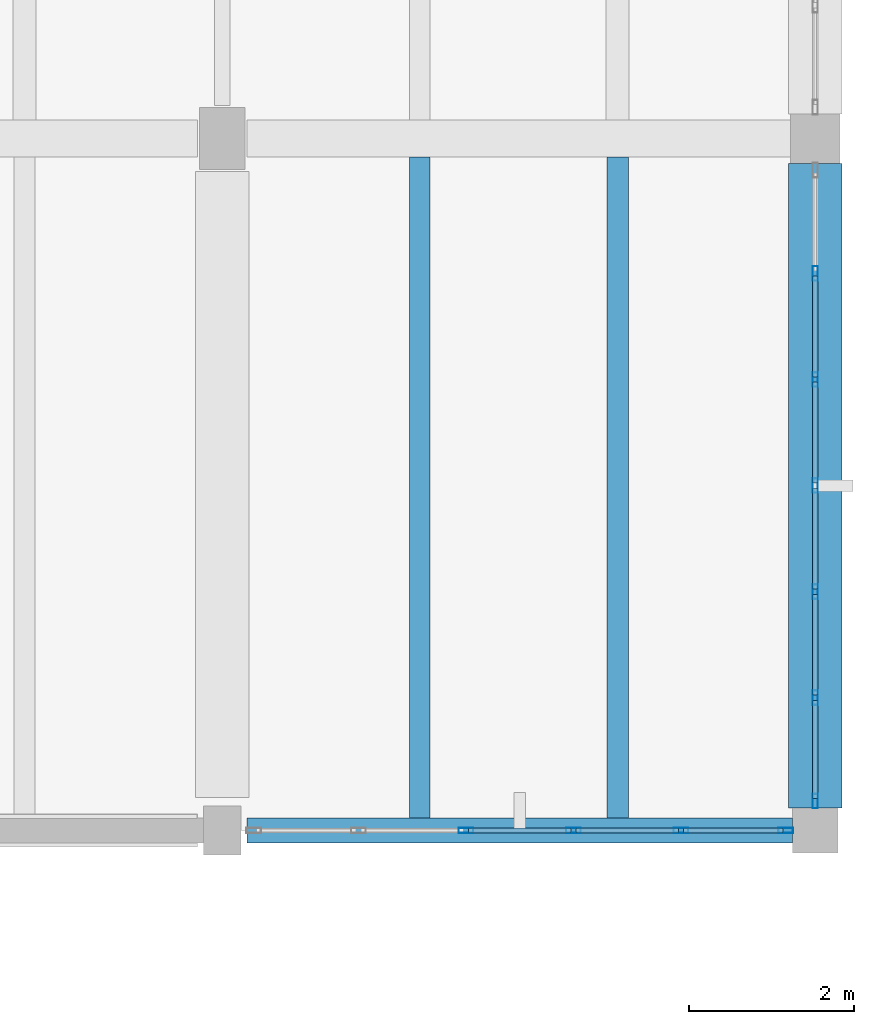
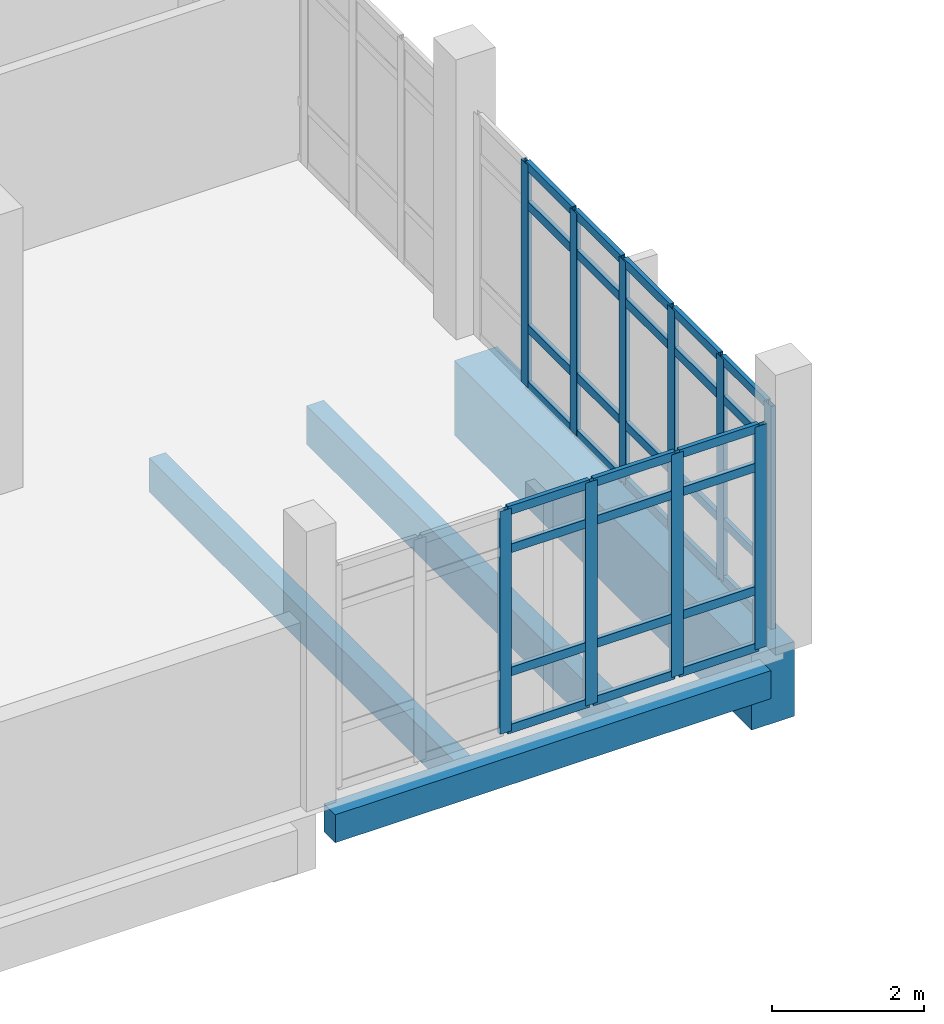
# One storey, part 52 of 87: 42 members, 4 beams, 2 elements without a shape of their own.
"""IFC4 building model written with IfcOpenShell, lengths in metres."""

from ifc_helpers import new_model, si_unit, direction, frame, origin, origin_2d, place, context, subcontext, project, spatial, rectangle, hollow_rectangle, extrude, material, material_profile, profile_set, type_object, element, aggregate, save


model = new_model("IFC4")

# Units and contexts
model_context = context("Model", 3, precision=1e-05, world=origin(), true_north=direction((0.0, 1.0)))
body_context = subcontext(model_context, "Body", "Model", "MODEL_VIEW")
ifc_project = project(units=[si_unit("LENGTHUNIT", "METRE"), si_unit("AREAUNIT", "SQUARE_METRE"), si_unit("VOLUMEUNIT", "CUBIC_METRE"), si_unit("PLANEANGLEUNIT", "RADIAN"), si_unit("MASSUNIT", "GRAM", prefix="KILO")], contexts=[model_context])

# Site, building, storey
site_placement = place(None, origin())
site = spatial("IfcSite", under=ifc_project, at=site_placement, CompositionType="ELEMENT")
building_placement = place(site_placement, origin())
building = spatial("IfcBuilding", under=site, at=building_placement, Name="Kalluvel Institute of Natural Sciences", CompositionType="ELEMENT")
storey_placement = place(building_placement, frame((0.0, 0.0, 18.89990234375)))
storey = spatial("IfcBuildingStorey", under=building, at=storey_placement, Name="L04", CompositionType="ELEMENT", Elevation=18.89990234375)

# Beam
ifc_material_1 = material(Name="Concrete M50", Category="concrete")
ifc_material_profile_1 = material_profile(ifc_material_1, rectangle(XDim=0.64990234375, YDim=1.199951171875, at=origin_2d()), Name="RCB 650x1200")
ifc_profile_set_1 = profile_set([ifc_material_profile_1], Name="Concrete M50")
beam_type_1 = type_object("IfcBeamType", Name="BM-RC650x1200", PredefinedType="BEAM", material=ifc_profile_set_1)
beam_1_placement = place(storey_placement, frame((114.800048828125, 103.074951171875, -0.919921875), z_axis=(0.0, 1.0, 0.0), x_axis=(-1.0, 0.0, 0.0)))
element("IfcBeam", 1, at=beam_1_placement, inside=storey, type_object=beam_type_1, Name="L04 girder GIR-L04-NS-X1148-Y1028", PredefinedType="BEAM", context=body_context, shape_type="SweptSolid", body=[
    extrude(rectangle(XDim=0.64990234375, YDim=1.199951171875, at=origin_2d()), origin(), (0.0, 0.0, 1.0), 7.824951171875),
])

# Curtain wall, members
ifc_material_2 = material(Name="Aluminium AW-6063 T6", Category="aluminium")
curtain_wall_type = type_object("IfcCurtainWallType", Name="CW-WET-45", PredefinedType="USERDEFINED", material=ifc_material_2)
curtain_wall_1_placement = place(storey_placement, origin())
curtain_wall_1 = element("IfcCurtainWall", 2, at=curtain_wall_1_placement, inside=storey, type_object=curtain_wall_type, Name="L04 Gothic lancet curtain wall CWA-L04-X1080-Y1028", ObjectType="UNITISED LANCET FACADE", PredefinedType="USERDEFINED")
ifc_material_profile_2 = material_profile(ifc_material_2, hollow_rectangle(XDim=0.06494140625, YDim=0.179931640625, WallThickness=0.00439453125, at=origin_2d()), Name="CWM 65x180")
ifc_profile_set_2 = profile_set([ifc_material_profile_2], Name="Aluminium AW-6063 T6")
member_type_1 = type_object("IfcMemberType", Name="CWM-65x180", PredefinedType="MULLION", material=ifc_profile_set_2)
member_1_placement = place(storey_placement, frame((110.56005859375, 102.800048828125, 0.0), z_axis=(0.0, 0.0, 1.0), x_axis=(0.0, 1.0, 0.0)))
member_1 = element("IfcMember", 3, at=member_1_placement, type_object=member_type_1, Name="CW-01 mullion 3", PredefinedType="MULLION", context=body_context, shape_type="SweptSolid", body=[
    extrude(hollow_rectangle(XDim=0.06494140625, YDim=0.179931640625, WallThickness=0.00439453125, at=origin_2d()), origin(), (0.0, 0.0, 1.0), 3.580078125),
])
member_2_placement = place(storey_placement, frame((111.864990234375, 102.800048828125, 0.0), z_axis=(0.0, 0.0, 1.0), x_axis=(0.0, 1.0, 0.0)))
member_2 = element("IfcMember", 4, at=member_2_placement, type_object=member_type_1, Name="CW-01 mullion 4", PredefinedType="MULLION", context=body_context, shape_type="SweptSolid", body=[
    extrude(hollow_rectangle(XDim=0.06494140625, YDim=0.179931640625, WallThickness=0.00439453125, at=origin_2d()), origin(), (0.0, 0.0, 1.0), 3.580078125),
])
member_3_placement = place(storey_placement, frame((113.169921875, 102.800048828125, 0.0), z_axis=(0.0, 0.0, 1.0), x_axis=(0.0, 1.0, 0.0)))
member_3 = element("IfcMember", 5, at=member_3_placement, type_object=member_type_1, Name="CW-01 mullion 5", PredefinedType="MULLION", context=body_context, shape_type="SweptSolid", body=[
    extrude(hollow_rectangle(XDim=0.06494140625, YDim=0.179931640625, WallThickness=0.00439453125, at=origin_2d()), origin(), (0.0, 0.0, 1.0), 3.580078125),
])
member_4_placement = place(storey_placement, frame((114.4423828125, 102.800048828125, 0.0), z_axis=(0.0, 0.0, 1.0), x_axis=(0.0, 1.0, 0.0)))
member_4 = element("IfcMember", 6, at=member_4_placement, type_object=member_type_1, Name="CW-01 mullion 6", PredefinedType="MULLION", context=body_context, shape_type="SweptSolid", body=[
    extrude(hollow_rectangle(XDim=0.06494140625, YDim=0.179931640625, WallThickness=0.00439453125, at=origin_2d()), origin(), (0.0, 0.0, 1.0), 3.580078125),
])

curtain_wall_2_placement = place(storey_placement, origin())
curtain_wall_2 = element("IfcCurtainWall", 7, at=curtain_wall_2_placement, inside=storey, type_object=curtain_wall_type, Name="L04 Gothic lancet curtain wall CWA-L04-X1148-Y1031", ObjectType="UNITISED LANCET FACADE", PredefinedType="USERDEFINED")
member_5_placement = place(storey_placement, frame((114.800048828125, 103.157470703125, 0.0), z_axis=(0.0, 0.0, 1.0), x_axis=(-1.0, 0.0, 0.0)))
member_5 = element("IfcMember", 8, at=member_5_placement, type_object=member_type_1, Name="CW-01 mullion 1", PredefinedType="MULLION", context=body_context, shape_type="SweptSolid", body=[
    extrude(hollow_rectangle(XDim=0.06494140625, YDim=0.179931640625, WallThickness=0.00439453125, at=origin_2d()), origin(), (0.0, 0.0, 1.0), 3.580078125),
])
member_6_placement = place(storey_placement, frame((114.800048828125, 104.41259765625, 0.0), z_axis=(0.0, 0.0, 1.0), x_axis=(-1.0, 0.0, 0.0)))
member_6 = element("IfcMember", 9, at=member_6_placement, type_object=member_type_1, Name="CW-01 mullion 2", PredefinedType="MULLION", context=body_context, shape_type="SweptSolid", body=[
    extrude(hollow_rectangle(XDim=0.06494140625, YDim=0.179931640625, WallThickness=0.00439453125, at=origin_2d()), origin(), (0.0, 0.0, 1.0), 3.580078125),
])
member_7_placement = place(storey_placement, frame((114.800048828125, 105.699951171875, 0.0), z_axis=(0.0, 0.0, 1.0), x_axis=(-1.0, 0.0, 0.0)))
member_7 = element("IfcMember", 10, at=member_7_placement, type_object=member_type_1, Name="CW-01 mullion 3", PredefinedType="MULLION", context=body_context, shape_type="SweptSolid", body=[
    extrude(hollow_rectangle(XDim=0.06494140625, YDim=0.179931640625, WallThickness=0.00439453125, at=origin_2d()), origin(), (0.0, 0.0, 1.0), 3.580078125),
])
member_8_placement = place(storey_placement, frame((114.800048828125, 106.987548828125, 0.0), z_axis=(0.0, 0.0, 1.0), x_axis=(-1.0, 0.0, 0.0)))
member_8 = element("IfcMember", 11, at=member_8_placement, type_object=member_type_1, Name="CW-01 mullion 4", PredefinedType="MULLION", context=body_context, shape_type="SweptSolid", body=[
    extrude(hollow_rectangle(XDim=0.06494140625, YDim=0.179931640625, WallThickness=0.00439453125, at=origin_2d()), origin(), (0.0, 0.0, 1.0), 3.580078125),
])
member_9_placement = place(storey_placement, frame((114.800048828125, 108.27490234375, 0.0), z_axis=(0.0, 0.0, 1.0), x_axis=(-1.0, 0.0, 0.0)))
member_9 = element("IfcMember", 12, at=member_9_placement, type_object=member_type_1, Name="CW-01 mullion 5", PredefinedType="MULLION", context=body_context, shape_type="SweptSolid", body=[
    extrude(hollow_rectangle(XDim=0.06494140625, YDim=0.179931640625, WallThickness=0.00439453125, at=origin_2d()), origin(), (0.0, 0.0, 1.0), 3.580078125),
])
member_10_placement = place(storey_placement, frame((114.800048828125, 109.5625, 0.0), z_axis=(0.0, 0.0, 1.0), x_axis=(-1.0, 0.0, 0.0)))
member_10 = element("IfcMember", 13, at=member_10_placement, type_object=member_type_1, Name="CW-01 mullion 6", PredefinedType="MULLION", context=body_context, shape_type="SweptSolid", body=[
    extrude(hollow_rectangle(XDim=0.06494140625, YDim=0.179931640625, WallThickness=0.00439453125, at=origin_2d()), origin(), (0.0, 0.0, 1.0), 3.580078125),
])

# Member
ifc_material_profile_3 = material_profile(ifc_material_2, hollow_rectangle(XDim=0.06494140625, YDim=0.139892578125, WallThickness=0.00439453125, at=origin_2d()), Name="CWT 65x140")
ifc_profile_set_3 = profile_set([ifc_material_profile_3], Name="Aluminium AW-6063 T6")
member_type_2 = type_object("IfcMemberType", Name="CWT-65x140", PredefinedType="USERDEFINED", material=ifc_profile_set_3)
member_11_placement = place(storey_placement, frame((110.592529296875, 102.800048828125, 0.03271484375), z_axis=(1.0, 0.0, 0.0), x_axis=(0.0, 1.0, 0.0)))
member_11 = element("IfcMember", 14, at=member_11_placement, type_object=member_type_2, Name="CW-01 transom 3.1", ObjectType="TRANSOM", PredefinedType="USERDEFINED", context=body_context, shape_type="SweptSolid", body=[
    extrude(hollow_rectangle(XDim=0.06494140625, YDim=0.139892578125, WallThickness=0.00439453125, at=origin_2d()), origin(), (0.0, 0.0, 1.0), 1.239990234375),
])

member_12_placement = place(storey_placement, frame((110.592529296875, 102.800048828125, 0.9501953125), z_axis=(1.0, 0.0, 0.0), x_axis=(0.0, 1.0, 0.0)))
member_12 = element("IfcMember", 15, at=member_12_placement, type_object=member_type_2, Name="CW-01 transom 3.2", ObjectType="TRANSOM", PredefinedType="USERDEFINED", context=body_context, shape_type="SweptSolid", body=[
    extrude(hollow_rectangle(XDim=0.06494140625, YDim=0.139892578125, WallThickness=0.00439453125, at=origin_2d()), origin(), (0.0, 0.0, 1.0), 1.239990234375),
])

member_13_placement = place(storey_placement, frame((110.592529296875, 102.800048828125, 2.93017578125), z_axis=(1.0, 0.0, 0.0), x_axis=(0.0, 1.0, 0.0)))
member_13 = element("IfcMember", 16, at=member_13_placement, type_object=member_type_2, Name="CW-01 transom 3.3", ObjectType="TRANSOM", PredefinedType="USERDEFINED", context=body_context, shape_type="SweptSolid", body=[
    extrude(hollow_rectangle(XDim=0.06494140625, YDim=0.139892578125, WallThickness=0.00439453125, at=origin_2d()), origin(), (0.0, 0.0, 1.0), 1.239990234375),
])

member_14_placement = place(storey_placement, frame((110.592529296875, 102.800048828125, 3.547607421875), z_axis=(1.0, 0.0, 0.0), x_axis=(0.0, 1.0, 0.0)))
member_14 = element("IfcMember", 17, at=member_14_placement, type_object=member_type_2, Name="CW-01 transom 3.4", ObjectType="TRANSOM", PredefinedType="USERDEFINED", context=body_context, shape_type="SweptSolid", body=[
    extrude(hollow_rectangle(XDim=0.06494140625, YDim=0.139892578125, WallThickness=0.00439453125, at=origin_2d()), origin(), (0.0, 0.0, 1.0), 1.239990234375),
])

member_15_placement = place(storey_placement, frame((111.8974609375, 102.800048828125, 0.03271484375), z_axis=(1.0, 0.0, 0.0), x_axis=(0.0, 1.0, 0.0)))
member_15 = element("IfcMember", 18, at=member_15_placement, type_object=member_type_2, Name="CW-01 transom 4.1", ObjectType="TRANSOM", PredefinedType="USERDEFINED", context=body_context, shape_type="SweptSolid", body=[
    extrude(hollow_rectangle(XDim=0.06494140625, YDim=0.139892578125, WallThickness=0.00439453125, at=origin_2d()), origin(), (0.0, 0.0, 1.0), 1.239990234375),
])

member_16_placement = place(storey_placement, frame((111.8974609375, 102.800048828125, 0.9501953125), z_axis=(1.0, 0.0, 0.0), x_axis=(0.0, 1.0, 0.0)))
member_16 = element("IfcMember", 19, at=member_16_placement, type_object=member_type_2, Name="CW-01 transom 4.2", ObjectType="TRANSOM", PredefinedType="USERDEFINED", context=body_context, shape_type="SweptSolid", body=[
    extrude(hollow_rectangle(XDim=0.06494140625, YDim=0.139892578125, WallThickness=0.00439453125, at=origin_2d()), origin(), (0.0, 0.0, 1.0), 1.239990234375),
])

member_17_placement = place(storey_placement, frame((111.8974609375, 102.800048828125, 2.93017578125), z_axis=(1.0, 0.0, 0.0), x_axis=(0.0, 1.0, 0.0)))
member_17 = element("IfcMember", 20, at=member_17_placement, type_object=member_type_2, Name="CW-01 transom 4.3", ObjectType="TRANSOM", PredefinedType="USERDEFINED", context=body_context, shape_type="SweptSolid", body=[
    extrude(hollow_rectangle(XDim=0.06494140625, YDim=0.139892578125, WallThickness=0.00439453125, at=origin_2d()), origin(), (0.0, 0.0, 1.0), 1.239990234375),
])

member_18_placement = place(storey_placement, frame((111.8974609375, 102.800048828125, 3.547607421875), z_axis=(1.0, 0.0, 0.0), x_axis=(0.0, 1.0, 0.0)))
member_18 = element("IfcMember", 21, at=member_18_placement, type_object=member_type_2, Name="CW-01 transom 4.4", ObjectType="TRANSOM", PredefinedType="USERDEFINED", context=body_context, shape_type="SweptSolid", body=[
    extrude(hollow_rectangle(XDim=0.06494140625, YDim=0.139892578125, WallThickness=0.00439453125, at=origin_2d()), origin(), (0.0, 0.0, 1.0), 1.239990234375),
])

member_19_placement = place(storey_placement, frame((113.202392578125, 102.800048828125, 0.03271484375), z_axis=(1.0, 0.0, 0.0), x_axis=(0.0, 1.0, 0.0)))
member_19 = element("IfcMember", 22, at=member_19_placement, type_object=member_type_2, Name="CW-01 transom 5.1", ObjectType="TRANSOM", PredefinedType="USERDEFINED", context=body_context, shape_type="SweptSolid", body=[
    extrude(hollow_rectangle(XDim=0.06494140625, YDim=0.139892578125, WallThickness=0.00439453125, at=origin_2d()), origin(), (0.0, 0.0, 1.0), 1.20751953125),
])

member_20_placement = place(storey_placement, frame((113.202392578125, 102.800048828125, 0.9501953125), z_axis=(1.0, 0.0, 0.0), x_axis=(0.0, 1.0, 0.0)))
member_20 = element("IfcMember", 23, at=member_20_placement, type_object=member_type_2, Name="CW-01 transom 5.2", ObjectType="TRANSOM", PredefinedType="USERDEFINED", context=body_context, shape_type="SweptSolid", body=[
    extrude(hollow_rectangle(XDim=0.06494140625, YDim=0.139892578125, WallThickness=0.00439453125, at=origin_2d()), origin(), (0.0, 0.0, 1.0), 1.20751953125),
])

member_21_placement = place(storey_placement, frame((113.202392578125, 102.800048828125, 2.93017578125), z_axis=(1.0, 0.0, 0.0), x_axis=(0.0, 1.0, 0.0)))
member_21 = element("IfcMember", 24, at=member_21_placement, type_object=member_type_2, Name="CW-01 transom 5.3", ObjectType="TRANSOM", PredefinedType="USERDEFINED", context=body_context, shape_type="SweptSolid", body=[
    extrude(hollow_rectangle(XDim=0.06494140625, YDim=0.139892578125, WallThickness=0.00439453125, at=origin_2d()), origin(), (0.0, 0.0, 1.0), 1.20751953125),
])

member_22_placement = place(storey_placement, frame((113.202392578125, 102.800048828125, 3.547607421875), z_axis=(1.0, 0.0, 0.0), x_axis=(0.0, 1.0, 0.0)))
member_22 = element("IfcMember", 25, at=member_22_placement, type_object=member_type_2, Name="CW-01 transom 5.4", ObjectType="TRANSOM", PredefinedType="USERDEFINED", context=body_context, shape_type="SweptSolid", body=[
    extrude(hollow_rectangle(XDim=0.06494140625, YDim=0.139892578125, WallThickness=0.00439453125, at=origin_2d()), origin(), (0.0, 0.0, 1.0), 1.20751953125),
])

aggregate(curtain_wall_1, [member_1, member_2, member_3, member_4, member_11, member_12, member_13, member_14, member_15, member_16, member_17, member_18, member_19, member_20, member_21, member_22])

member_23_placement = place(storey_placement, frame((114.800048828125, 103.18994140625, 0.03271484375), z_axis=(0.0, 1.0, 0.0), x_axis=(-1.0, 0.0, 0.0)))
member_23 = element("IfcMember", 26, at=member_23_placement, type_object=member_type_2, Name="CW-01 transom 1.1", ObjectType="TRANSOM", PredefinedType="USERDEFINED", context=body_context, shape_type="SweptSolid", body=[
    extrude(hollow_rectangle(XDim=0.06494140625, YDim=0.139892578125, WallThickness=0.00439453125, at=origin_2d()), origin(), (0.0, 0.0, 1.0), 1.18994140625),
])

member_24_placement = place(storey_placement, frame((114.800048828125, 103.18994140625, 0.9501953125), z_axis=(0.0, 1.0, 0.0), x_axis=(-1.0, 0.0, 0.0)))
member_24 = element("IfcMember", 27, at=member_24_placement, type_object=member_type_2, Name="CW-01 transom 1.2", ObjectType="TRANSOM", PredefinedType="USERDEFINED", context=body_context, shape_type="SweptSolid", body=[
    extrude(hollow_rectangle(XDim=0.06494140625, YDim=0.139892578125, WallThickness=0.00439453125, at=origin_2d()), origin(), (0.0, 0.0, 1.0), 1.18994140625),
])

member_25_placement = place(storey_placement, frame((114.800048828125, 103.18994140625, 2.93017578125), z_axis=(0.0, 1.0, 0.0), x_axis=(-1.0, 0.0, 0.0)))
member_25 = element("IfcMember", 28, at=member_25_placement, type_object=member_type_2, Name="CW-01 transom 1.3", ObjectType="TRANSOM", PredefinedType="USERDEFINED", context=body_context, shape_type="SweptSolid", body=[
    extrude(hollow_rectangle(XDim=0.06494140625, YDim=0.139892578125, WallThickness=0.00439453125, at=origin_2d()), origin(), (0.0, 0.0, 1.0), 1.18994140625),
])

member_26_placement = place(storey_placement, frame((114.800048828125, 103.18994140625, 3.547607421875), z_axis=(0.0, 1.0, 0.0), x_axis=(-1.0, 0.0, 0.0)))
member_26 = element("IfcMember", 29, at=member_26_placement, type_object=member_type_2, Name="CW-01 transom 1.4", ObjectType="TRANSOM", PredefinedType="USERDEFINED", context=body_context, shape_type="SweptSolid", body=[
    extrude(hollow_rectangle(XDim=0.06494140625, YDim=0.139892578125, WallThickness=0.00439453125, at=origin_2d()), origin(), (0.0, 0.0, 1.0), 1.18994140625),
])

member_27_placement = place(storey_placement, frame((114.800048828125, 104.445068359375, 0.03271484375), z_axis=(0.0, 1.0, 0.0), x_axis=(-1.0, 0.0, 0.0)))
member_27 = element("IfcMember", 30, at=member_27_placement, type_object=member_type_2, Name="CW-01 transom 2.1", ObjectType="TRANSOM", PredefinedType="USERDEFINED", context=body_context, shape_type="SweptSolid", body=[
    extrude(hollow_rectangle(XDim=0.06494140625, YDim=0.139892578125, WallThickness=0.00439453125, at=origin_2d()), origin(), (0.0, 0.0, 1.0), 1.222412109375),
])

member_28_placement = place(storey_placement, frame((114.800048828125, 104.445068359375, 0.9501953125), z_axis=(0.0, 1.0, 0.0), x_axis=(-1.0, 0.0, 0.0)))
member_28 = element("IfcMember", 31, at=member_28_placement, type_object=member_type_2, Name="CW-01 transom 2.2", ObjectType="TRANSOM", PredefinedType="USERDEFINED", context=body_context, shape_type="SweptSolid", body=[
    extrude(hollow_rectangle(XDim=0.06494140625, YDim=0.139892578125, WallThickness=0.00439453125, at=origin_2d()), origin(), (0.0, 0.0, 1.0), 1.222412109375),
])

member_29_placement = place(storey_placement, frame((114.800048828125, 104.445068359375, 2.93017578125), z_axis=(0.0, 1.0, 0.0), x_axis=(-1.0, 0.0, 0.0)))
member_29 = element("IfcMember", 32, at=member_29_placement, type_object=member_type_2, Name="CW-01 transom 2.3", ObjectType="TRANSOM", PredefinedType="USERDEFINED", context=body_context, shape_type="SweptSolid", body=[
    extrude(hollow_rectangle(XDim=0.06494140625, YDim=0.139892578125, WallThickness=0.00439453125, at=origin_2d()), origin(), (0.0, 0.0, 1.0), 1.222412109375),
])

member_30_placement = place(storey_placement, frame((114.800048828125, 104.445068359375, 3.547607421875), z_axis=(0.0, 1.0, 0.0), x_axis=(-1.0, 0.0, 0.0)))
member_30 = element("IfcMember", 33, at=member_30_placement, type_object=member_type_2, Name="CW-01 transom 2.4", ObjectType="TRANSOM", PredefinedType="USERDEFINED", context=body_context, shape_type="SweptSolid", body=[
    extrude(hollow_rectangle(XDim=0.06494140625, YDim=0.139892578125, WallThickness=0.00439453125, at=origin_2d()), origin(), (0.0, 0.0, 1.0), 1.222412109375),
])

member_31_placement = place(storey_placement, frame((114.800048828125, 105.732421875, 0.03271484375), z_axis=(0.0, 1.0, 0.0), x_axis=(-1.0, 0.0, 0.0)))
member_31 = element("IfcMember", 34, at=member_31_placement, type_object=member_type_2, Name="CW-01 transom 3.1", ObjectType="TRANSOM", PredefinedType="USERDEFINED", context=body_context, shape_type="SweptSolid", body=[
    extrude(hollow_rectangle(XDim=0.06494140625, YDim=0.139892578125, WallThickness=0.00439453125, at=origin_2d()), origin(), (0.0, 0.0, 1.0), 1.22265625),
])

member_32_placement = place(storey_placement, frame((114.800048828125, 105.732421875, 0.9501953125), z_axis=(0.0, 1.0, 0.0), x_axis=(-1.0, 0.0, 0.0)))
member_32 = element("IfcMember", 35, at=member_32_placement, type_object=member_type_2, Name="CW-01 transom 3.2", ObjectType="TRANSOM", PredefinedType="USERDEFINED", context=body_context, shape_type="SweptSolid", body=[
    extrude(hollow_rectangle(XDim=0.06494140625, YDim=0.139892578125, WallThickness=0.00439453125, at=origin_2d()), origin(), (0.0, 0.0, 1.0), 1.22265625),
])

member_33_placement = place(storey_placement, frame((114.800048828125, 105.732421875, 2.93017578125), z_axis=(0.0, 1.0, 0.0), x_axis=(-1.0, 0.0, 0.0)))
member_33 = element("IfcMember", 36, at=member_33_placement, type_object=member_type_2, Name="CW-01 transom 3.3", ObjectType="TRANSOM", PredefinedType="USERDEFINED", context=body_context, shape_type="SweptSolid", body=[
    extrude(hollow_rectangle(XDim=0.06494140625, YDim=0.139892578125, WallThickness=0.00439453125, at=origin_2d()), origin(), (0.0, 0.0, 1.0), 1.22265625),
])

member_34_placement = place(storey_placement, frame((114.800048828125, 105.732421875, 3.547607421875), z_axis=(0.0, 1.0, 0.0), x_axis=(-1.0, 0.0, 0.0)))
member_34 = element("IfcMember", 37, at=member_34_placement, type_object=member_type_2, Name="CW-01 transom 3.4", ObjectType="TRANSOM", PredefinedType="USERDEFINED", context=body_context, shape_type="SweptSolid", body=[
    extrude(hollow_rectangle(XDim=0.06494140625, YDim=0.139892578125, WallThickness=0.00439453125, at=origin_2d()), origin(), (0.0, 0.0, 1.0), 1.22265625),
])

member_35_placement = place(storey_placement, frame((114.800048828125, 107.02001953125, 0.03271484375), z_axis=(0.0, 1.0, 0.0), x_axis=(-1.0, 0.0, 0.0)))
member_35 = element("IfcMember", 38, at=member_35_placement, type_object=member_type_2, Name="CW-01 transom 4.1", ObjectType="TRANSOM", PredefinedType="USERDEFINED", context=body_context, shape_type="SweptSolid", body=[
    extrude(hollow_rectangle(XDim=0.06494140625, YDim=0.139892578125, WallThickness=0.00439453125, at=origin_2d()), origin(), (0.0, 0.0, 1.0), 1.222412109375),
])

member_36_placement = place(storey_placement, frame((114.800048828125, 107.02001953125, 0.9501953125), z_axis=(0.0, 1.0, 0.0), x_axis=(-1.0, 0.0, 0.0)))
member_36 = element("IfcMember", 39, at=member_36_placement, type_object=member_type_2, Name="CW-01 transom 4.2", ObjectType="TRANSOM", PredefinedType="USERDEFINED", context=body_context, shape_type="SweptSolid", body=[
    extrude(hollow_rectangle(XDim=0.06494140625, YDim=0.139892578125, WallThickness=0.00439453125, at=origin_2d()), origin(), (0.0, 0.0, 1.0), 1.222412109375),
])

member_37_placement = place(storey_placement, frame((114.800048828125, 107.02001953125, 2.93017578125), z_axis=(0.0, 1.0, 0.0), x_axis=(-1.0, 0.0, 0.0)))
member_37 = element("IfcMember", 40, at=member_37_placement, type_object=member_type_2, Name="CW-01 transom 4.3", ObjectType="TRANSOM", PredefinedType="USERDEFINED", context=body_context, shape_type="SweptSolid", body=[
    extrude(hollow_rectangle(XDim=0.06494140625, YDim=0.139892578125, WallThickness=0.00439453125, at=origin_2d()), origin(), (0.0, 0.0, 1.0), 1.222412109375),
])

member_38_placement = place(storey_placement, frame((114.800048828125, 107.02001953125, 3.547607421875), z_axis=(0.0, 1.0, 0.0), x_axis=(-1.0, 0.0, 0.0)))
member_38 = element("IfcMember", 41, at=member_38_placement, type_object=member_type_2, Name="CW-01 transom 4.4", ObjectType="TRANSOM", PredefinedType="USERDEFINED", context=body_context, shape_type="SweptSolid", body=[
    extrude(hollow_rectangle(XDim=0.06494140625, YDim=0.139892578125, WallThickness=0.00439453125, at=origin_2d()), origin(), (0.0, 0.0, 1.0), 1.222412109375),
])

member_39_placement = place(storey_placement, frame((114.800048828125, 108.3076171875, 0.03271484375), z_axis=(0.0, 1.0, 0.0), x_axis=(-1.0, 0.0, 0.0)))
member_39 = element("IfcMember", 42, at=member_39_placement, type_object=member_type_2, Name="CW-01 transom 5.1", ObjectType="TRANSOM", PredefinedType="USERDEFINED", context=body_context, shape_type="SweptSolid", body=[
    extrude(hollow_rectangle(XDim=0.06494140625, YDim=0.139892578125, WallThickness=0.00439453125, at=origin_2d()), origin(), (0.0, 0.0, 1.0), 1.222412109375),
])

member_40_placement = place(storey_placement, frame((114.800048828125, 108.3076171875, 0.9501953125), z_axis=(0.0, 1.0, 0.0), x_axis=(-1.0, 0.0, 0.0)))
member_40 = element("IfcMember", 43, at=member_40_placement, type_object=member_type_2, Name="CW-01 transom 5.2", ObjectType="TRANSOM", PredefinedType="USERDEFINED", context=body_context, shape_type="SweptSolid", body=[
    extrude(hollow_rectangle(XDim=0.06494140625, YDim=0.139892578125, WallThickness=0.00439453125, at=origin_2d()), origin(), (0.0, 0.0, 1.0), 1.222412109375),
])

member_41_placement = place(storey_placement, frame((114.800048828125, 108.3076171875, 2.93017578125), z_axis=(0.0, 1.0, 0.0), x_axis=(-1.0, 0.0, 0.0)))
member_41 = element("IfcMember", 44, at=member_41_placement, type_object=member_type_2, Name="CW-01 transom 5.3", ObjectType="TRANSOM", PredefinedType="USERDEFINED", context=body_context, shape_type="SweptSolid", body=[
    extrude(hollow_rectangle(XDim=0.06494140625, YDim=0.139892578125, WallThickness=0.00439453125, at=origin_2d()), origin(), (0.0, 0.0, 1.0), 1.222412109375),
])

member_42_placement = place(storey_placement, frame((114.800048828125, 108.3076171875, 3.547607421875), z_axis=(0.0, 1.0, 0.0), x_axis=(-1.0, 0.0, 0.0)))
member_42 = element("IfcMember", 45, at=member_42_placement, type_object=member_type_2, Name="CW-01 transom 5.4", ObjectType="TRANSOM", PredefinedType="USERDEFINED", context=body_context, shape_type="SweptSolid", body=[
    extrude(hollow_rectangle(XDim=0.06494140625, YDim=0.139892578125, WallThickness=0.00439453125, at=origin_2d()), origin(), (0.0, 0.0, 1.0), 1.222412109375),
])

aggregate(curtain_wall_2, [member_5, member_6, member_7, member_8, member_9, member_10, member_23, member_24, member_25, member_26, member_27, member_28, member_29, member_30, member_31, member_32, member_33, member_34, member_35, member_36, member_37, member_38, member_39, member_40, member_41, member_42])

# Beams
ifc_material_3 = material(Name="Concrete M40", Category="concrete")
ifc_material_profile_4 = material_profile(ifc_material_3, rectangle(XDim=0.300048828125, YDim=0.449951171875, at=origin_2d()), Name="RCB 300x450")
ifc_profile_set_4 = profile_set([ifc_material_profile_4], Name="Concrete M40")
beam_type_2 = type_object("IfcBeamType", Name="SP-RC300x450", PredefinedType="SPANDREL", material=ifc_profile_set_4)
beam_2_placement = place(storey_placement, frame((107.89990234375, 102.800048828125, -0.544921875), z_axis=(1.0, 0.0, 0.0), x_axis=(0.0, 1.0, 0.0)))
element("IfcBeam", 46, at=beam_2_placement, inside=storey, type_object=beam_type_2, Name="L04 girder GIR-L04-EW-X1076-Y1028", PredefinedType="SPANDREL", context=body_context, shape_type="SweptSolid", body=[
    extrude(rectangle(XDim=0.300048828125, YDim=0.449951171875, at=origin_2d()), origin(), (0.0, 0.0, 1.0), 6.625),
])
ifc_material_profile_5 = material_profile(ifc_material_3, rectangle(XDim=0.25, YDim=0.550048828125, at=origin_2d()), Name="WAF 250x550")
ifc_profile_set_5 = profile_set([ifc_material_profile_5], Name="Concrete M40")
beam_type_3 = type_object("IfcBeamType", Name="WJ-250x550", PredefinedType="JOIST", material=ifc_profile_set_5)
beam_3_placement = place(storey_placement, frame((110.0, 102.949951171875, -0.594970703125), z_axis=(0.0, 1.0, 0.0), x_axis=(-1.0, 0.0, 0.0)))
element("IfcBeam", 47, at=beam_3_placement, inside=storey, type_object=beam_type_3, Name="L04 waffle joist RIB-L04-0362", PredefinedType="JOIST", context=body_context, shape_type="SweptSolid", body=[
    extrude(rectangle(XDim=0.25, YDim=0.550048828125, at=origin_2d()), origin(), (0.0, 0.0, 1.0), 8.025146484375),
])
ifc_material_profile_6 = material_profile(ifc_material_1, rectangle(XDim=0.260009765625, YDim=0.6201171875, at=origin_2d()), Name="WAF 260x620")
ifc_profile_set_6 = profile_set([ifc_material_profile_6], Name="Concrete M50")
beam_type_4 = type_object("IfcBeamType", Name="WJ-260x620", PredefinedType="JOIST", material=ifc_profile_set_6)
beam_4_placement = place(storey_placement, frame((112.39990234375, 102.949951171875, -0.6298828125), z_axis=(0.0, 1.0, 0.0), x_axis=(-1.0, 0.0, 0.0)))
element("IfcBeam", 48, at=beam_4_placement, inside=storey, type_object=beam_type_4, Name="L04 waffle joist RIB-L04-0363", PredefinedType="JOIST", context=body_context, shape_type="SweptSolid", body=[
    extrude(rectangle(XDim=0.260009765625, YDim=0.6201171875, at=origin_2d()), origin(), (0.0, 0.0, 1.0), 8.025146484375),
])

save(model, "model.ifc")
